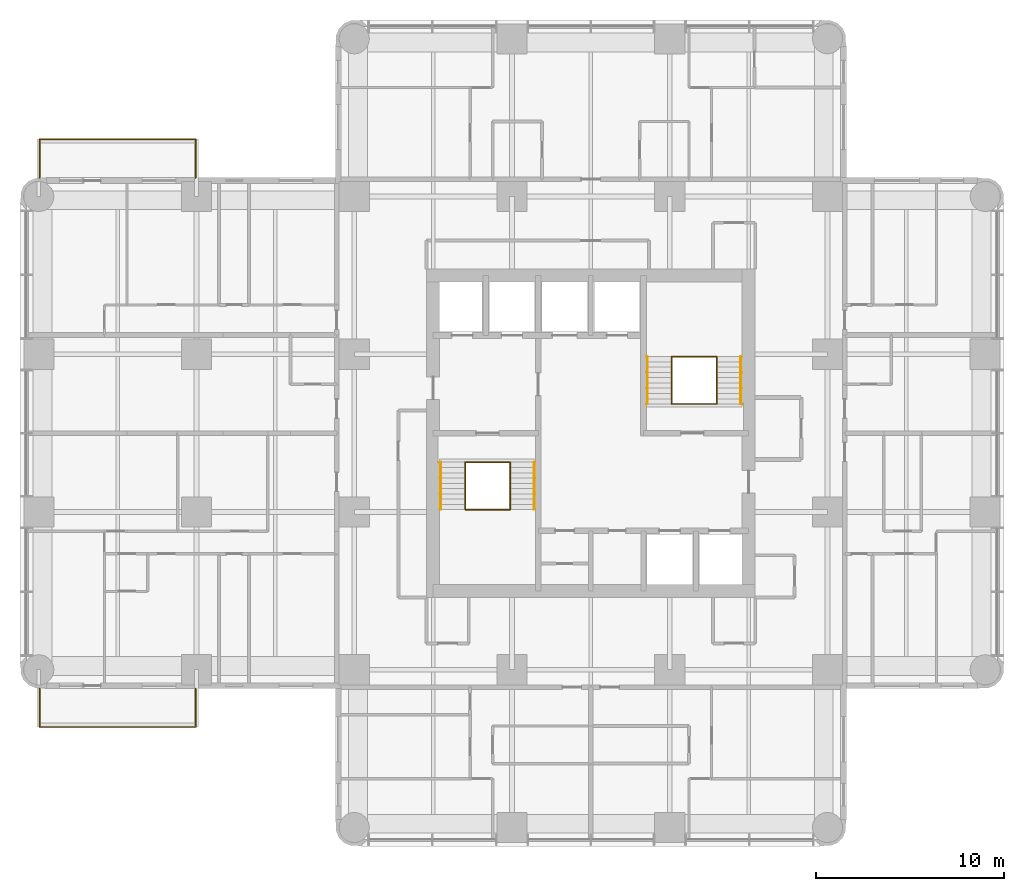
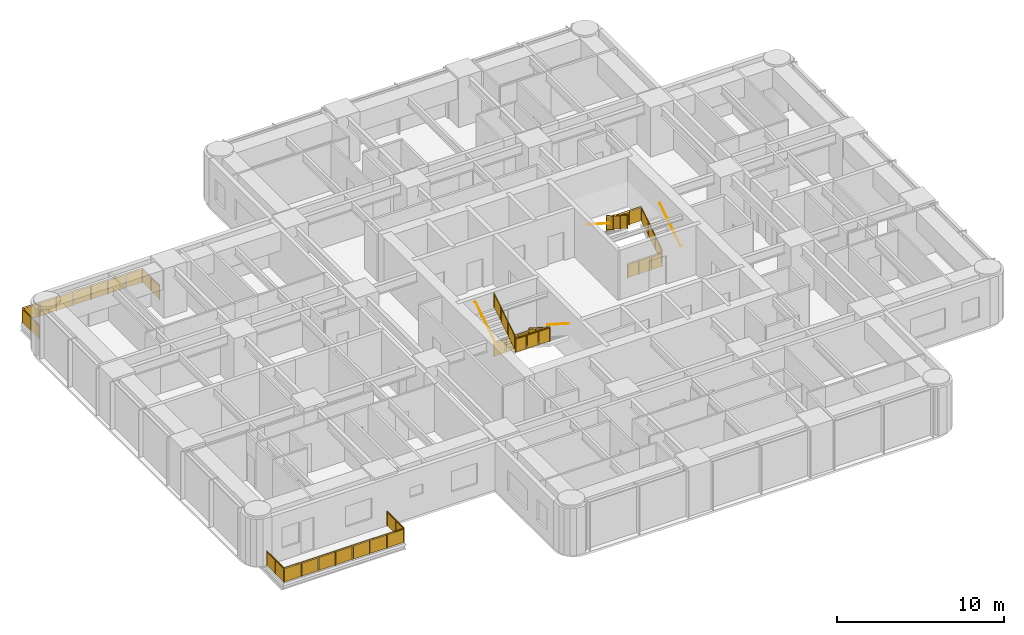
# One storey, part 11 of 11: 14 railings.
"""IFC4 building model written with IfcOpenShell, lengths in metres."""

from ifc_helpers import new_model, si_unit, direction, frame, origin, origin_2d, place, context, subcontext, project, spatial, polyline, circle, outline, extrude, material, constituent, constituent_set, type_object, element, save


model = new_model("IFC4")

# Units and contexts
model_context = context("Model", 3, precision=1e-05, world=origin(), true_north=direction((0.0, 1.0)))
body_context = subcontext(model_context, "Body", "Model", "MODEL_VIEW")
ifc_project = project(units=[si_unit("LENGTHUNIT", "METRE"), si_unit("AREAUNIT", "SQUARE_METRE"), si_unit("VOLUMEUNIT", "CUBIC_METRE"), si_unit("PLANEANGLEUNIT", "RADIAN"), si_unit("MASSUNIT", "GRAM", prefix="KILO")], contexts=[model_context])

# Site, building, storey
site_placement = place(None, origin())
site = spatial("IfcSite", under=ifc_project, at=site_placement, CompositionType="ELEMENT")
building_placement = place(site_placement, origin())
building = spatial("IfcBuilding", under=site, at=building_placement, Name="Torre Alcanfor", CompositionType="ELEMENT")
storey_placement = place(building_placement, frame((0.0, 0.0, 240.89990234375)))
storey = spatial("IfcBuildingStorey", under=building, at=storey_placement, Name="L63", CompositionType="ELEMENT", Elevation=240.89990234375)

# Railings
ifc_material_1 = material(Name="Laminated safety glass", Category="glass")
ifc_constituent_1 = constituent(ifc_material_1, Name="Infill")
ifc_material_2 = material(Name="Stainless steel ASTM A554 Grade MT 316L tube", Category="steel")
ifc_constituent_2 = constituent(ifc_material_2, Name="Posts and rail")
ifc_constituent_set = constituent_set(constituents=[ifc_constituent_1, ifc_constituent_2], Name="Balcony guard glass 1100")
railing_type_1 = type_object("IfcRailingType", Name="Balcony guard glass 1100", PredefinedType="BALUSTRADE", material=ifc_constituent_set)
railing_1_placement = place(storey_placement, frame((8.35009765625, 15.800048828125, 0.0)))
element("IfcRailing", 1, at=railing_1_placement, inside=storey, type_object=railing_type_1, Name="Balcony guard L63-W1", PredefinedType="BALUSTRADE", context=body_context, shape_type="SweptSolid", body=[
    extrude(circle(Radius=0.02392578125, at=origin_2d()), frame((0.0, 0.0, 1.076171875), z_axis=(0.0, -1.0, 0.0), x_axis=(1.0, 0.0, 0.0)), (0.0, 0.0, 1.0), 2.050048828125),
    extrude(circle(Radius=0.02392578125, at=origin_2d()), frame((0.0, -2.050048828125, 1.076171875), z_axis=(-1.0, 0.0, 0.0), x_axis=(0.0, -1.0, 0.0)), (0.0, 0.0, 1.0), 8.300048828125),
    extrude(circle(Radius=0.02392578125, at=origin_2d()), frame((-8.300048828125, -2.050048828125, 1.076171875), z_axis=(0.0, 1.0, 0.0), x_axis=(-1.0, 0.0, 0.0)), (0.0, 0.0, 1.0), 2.050048828125),
    extrude(circle(Radius=0.02099609375, at=origin_2d()), origin(), (0.0, 0.0, 1.0), 1.052001953125),
    extrude(circle(Radius=0.02099609375, at=origin_2d()), frame((0.0, -1.02490234375, 0.0)), (0.0, 0.0, 1.0), 1.052001953125),
    extrude(circle(Radius=0.02099609375, at=origin_2d()), frame((0.0, -2.050048828125, 0.0)), (0.0, 0.0, 1.0), 1.052001953125),
    extrude(circle(Radius=0.02099609375, at=origin_2d()), frame((-1.185791015625, -2.050048828125, 0.0)), (0.0, 0.0, 1.0), 1.052001953125),
    extrude(circle(Radius=0.02099609375, at=origin_2d()), frame((-2.371337890625, -2.050048828125, 0.0)), (0.0, 0.0, 1.0), 1.052001953125),
    extrude(circle(Radius=0.02099609375, at=origin_2d()), frame((-3.55712890625, -2.050048828125, 0.0)), (0.0, 0.0, 1.0), 1.052001953125),
    extrude(circle(Radius=0.02099609375, at=origin_2d()), frame((-4.742919921875, -2.050048828125, 0.0)), (0.0, 0.0, 1.0), 1.052001953125),
    extrude(circle(Radius=0.02099609375, at=origin_2d()), frame((-5.9287109375, -2.050048828125, 0.0)), (0.0, 0.0, 1.0), 1.052001953125),
    extrude(circle(Radius=0.02099609375, at=origin_2d()), frame((-7.1142578125, -2.050048828125, 0.0)), (0.0, 0.0, 1.0), 1.052001953125),
    extrude(circle(Radius=0.02099609375, at=origin_2d()), frame((-8.300048828125, -2.050048828125, 0.0)), (0.0, 0.0, 1.0), 1.052001953125),
    extrude(circle(Radius=0.02099609375, at=origin_2d()), frame((-8.300048828125, -1.02490234375, 0.0)), (0.0, 0.0, 1.0), 1.052001953125),
    extrude(circle(Radius=0.02099609375, at=origin_2d()), frame((-8.300048828125, 0.0, 0.0)), (0.0, 0.0, 1.0), 1.052001953125),
    extrude(outline(polyline([(0.041015625, 0.050048828125), (0.984130859375, 0.050048828125), (0.984130859375, 1.001953125), (0.041015625, 1.001953125), (0.041015625, 0.050048828125)])), frame((0.005859375, 0.0, 0.0), z_axis=(-1.0, 0.0, 0.0), x_axis=(0.0, -1.0, 0.0)), (0.0, 0.0, 1.0), 0.011962890625),
    extrude(outline(polyline([(1.06591796875, 0.050048828125), (2.009033203125, 0.050048828125), (2.009033203125, 1.001953125), (1.06591796875, 1.001953125), (1.06591796875, 0.050048828125)])), frame((0.005859375, 0.0, 0.0), z_axis=(-1.0, 0.0, 0.0), x_axis=(0.0, -1.0, 0.0)), (0.0, 0.0, 1.0), 0.011962890625),
    extrude(outline(polyline([(0.041015625, 0.050048828125), (1.144775390625, 0.050048828125), (1.144775390625, 1.001953125), (0.041015625, 1.001953125), (0.041015625, 0.050048828125)])), frame((0.0, -2.05615234375, 0.0), z_axis=(0.0, 1.0, 0.0), x_axis=(-1.0, 0.0, 0.0)), (0.0, 0.0, 1.0), 0.011962890625),
    extrude(outline(polyline([(1.226806640625, 0.050048828125), (2.330322265625, 0.050048828125), (2.330322265625, 1.001953125), (1.226806640625, 1.001953125), (1.226806640625, 0.050048828125)])), frame((0.0, -2.05615234375, 0.0), z_axis=(0.0, 1.0, 0.0), x_axis=(-1.0, 0.0, 0.0)), (0.0, 0.0, 1.0), 0.011962890625),
    extrude(outline(polyline([(2.412353515625, 0.050048828125), (3.51611328125, 0.050048828125), (3.51611328125, 1.001953125), (2.412353515625, 1.001953125), (2.412353515625, 0.050048828125)])), frame((0.0, -2.05615234375, 0.0), z_axis=(0.0, 1.0, 0.0), x_axis=(-1.0, 0.0, 0.0)), (0.0, 0.0, 1.0), 0.011962890625),
    extrude(outline(polyline([(3.59814453125, 0.050048828125), (4.701904296875, 0.050048828125), (4.701904296875, 1.001953125), (3.59814453125, 1.001953125), (3.59814453125, 0.050048828125)])), frame((0.0, -2.05615234375, 0.0), z_axis=(0.0, 1.0, 0.0), x_axis=(-1.0, 0.0, 0.0)), (0.0, 0.0, 1.0), 0.011962890625),
    extrude(outline(polyline([(4.783935546875, 0.050048828125), (5.8876953125, 0.050048828125), (5.8876953125, 1.001953125), (4.783935546875, 1.001953125), (4.783935546875, 0.050048828125)])), frame((0.0, -2.05615234375, 0.0), z_axis=(0.0, 1.0, 0.0), x_axis=(-1.0, 0.0, 0.0)), (0.0, 0.0, 1.0), 0.011962890625),
    extrude(outline(polyline([(5.9697265625, 0.050048828125), (7.0732421875, 0.050048828125), (7.0732421875, 1.001953125), (5.9697265625, 1.001953125), (5.9697265625, 0.050048828125)])), frame((0.0, -2.05615234375, 0.0), z_axis=(0.0, 1.0, 0.0), x_axis=(-1.0, 0.0, 0.0)), (0.0, 0.0, 1.0), 0.011962890625),
    extrude(outline(polyline([(7.1552734375, 0.050048828125), (8.259033203125, 0.050048828125), (8.259033203125, 1.001953125), (7.1552734375, 1.001953125), (7.1552734375, 0.050048828125)])), frame((0.0, -2.05615234375, 0.0), z_axis=(0.0, 1.0, 0.0), x_axis=(-1.0, 0.0, 0.0)), (0.0, 0.0, 1.0), 0.011962890625),
    extrude(outline(polyline([(0.041015625, 0.050048828125), (0.984130859375, 0.050048828125), (0.984130859375, 1.001953125), (0.041015625, 1.001953125), (0.041015625, 0.050048828125)])), frame((-8.30615234375, -2.050048828125, 0.0), z_axis=(1.0, 0.0, 0.0), x_axis=(0.0, 1.0, 0.0)), (0.0, 0.0, 1.0), 0.011962890625),
    extrude(outline(polyline([(1.06591796875, 0.050048828125), (2.009033203125, 0.050048828125), (2.009033203125, 1.001953125), (1.06591796875, 1.001953125), (1.06591796875, 0.050048828125)])), frame((-8.30615234375, -2.050048828125, 0.0), z_axis=(1.0, 0.0, 0.0), x_axis=(0.0, 1.0, 0.0)), (0.0, 0.0, 1.0), 0.011962890625),
])
railing_2_placement = place(storey_placement, frame((8.35009765625, 43.0, 0.0)))
element("IfcRailing", 2, at=railing_2_placement, inside=storey, type_object=railing_type_1, Name="Balcony guard L63-W2", PredefinedType="BALUSTRADE", context=body_context, shape_type="SweptSolid", body=[
    extrude(circle(Radius=0.02392578125, at=origin_2d()), frame((0.0, 0.0, 1.076171875), z_axis=(0.0, 1.0, 0.0), x_axis=(-1.0, 0.0, 0.0)), (0.0, 0.0, 1.0), 2.050048828125),
    extrude(circle(Radius=0.02392578125, at=origin_2d()), frame((0.0, 2.050048828125, 1.076171875), z_axis=(-1.0, 0.0, 0.0), x_axis=(0.0, -1.0, 0.0)), (0.0, 0.0, 1.0), 8.300048828125),
    extrude(circle(Radius=0.02392578125, at=origin_2d()), frame((-8.300048828125, 2.050048828125, 1.076171875), z_axis=(0.0, -1.0, 0.0), x_axis=(1.0, 0.0, 0.0)), (0.0, 0.0, 1.0), 2.050048828125),
    extrude(circle(Radius=0.02099609375, at=origin_2d()), origin(), (0.0, 0.0, 1.0), 1.052001953125),
    extrude(circle(Radius=0.02099609375, at=origin_2d()), frame((0.0, 1.02490234375, 0.0)), (0.0, 0.0, 1.0), 1.052001953125),
    extrude(circle(Radius=0.02099609375, at=origin_2d()), frame((0.0, 2.050048828125, 0.0)), (0.0, 0.0, 1.0), 1.052001953125),
    extrude(circle(Radius=0.02099609375, at=origin_2d()), frame((-1.185791015625, 2.050048828125, 0.0)), (0.0, 0.0, 1.0), 1.052001953125),
    extrude(circle(Radius=0.02099609375, at=origin_2d()), frame((-2.371337890625, 2.050048828125, 0.0)), (0.0, 0.0, 1.0), 1.052001953125),
    extrude(circle(Radius=0.02099609375, at=origin_2d()), frame((-3.55712890625, 2.050048828125, 0.0)), (0.0, 0.0, 1.0), 1.052001953125),
    extrude(circle(Radius=0.02099609375, at=origin_2d()), frame((-4.742919921875, 2.050048828125, 0.0)), (0.0, 0.0, 1.0), 1.052001953125),
    extrude(circle(Radius=0.02099609375, at=origin_2d()), frame((-5.9287109375, 2.050048828125, 0.0)), (0.0, 0.0, 1.0), 1.052001953125),
    extrude(circle(Radius=0.02099609375, at=origin_2d()), frame((-7.1142578125, 2.050048828125, 0.0)), (0.0, 0.0, 1.0), 1.052001953125),
    extrude(circle(Radius=0.02099609375, at=origin_2d()), frame((-8.300048828125, 2.050048828125, 0.0)), (0.0, 0.0, 1.0), 1.052001953125),
    extrude(circle(Radius=0.02099609375, at=origin_2d()), frame((-8.300048828125, 1.02490234375, 0.0)), (0.0, 0.0, 1.0), 1.052001953125),
    extrude(circle(Radius=0.02099609375, at=origin_2d()), frame((-8.300048828125, 0.0, 0.0)), (0.0, 0.0, 1.0), 1.052001953125),
    extrude(outline(polyline([(0.041015625, 0.050048828125), (0.984130859375, 0.050048828125), (0.984130859375, 1.001953125), (0.041015625, 1.001953125), (0.041015625, 0.050048828125)])), frame((-0.005859375, 0.0, 0.0), z_axis=(1.0, 0.0, 0.0), x_axis=(0.0, 1.0, 0.0)), (0.0, 0.0, 1.0), 0.011962890625),
    extrude(outline(polyline([(1.06591796875, 0.050048828125), (2.009033203125, 0.050048828125), (2.009033203125, 1.001953125), (1.06591796875, 1.001953125), (1.06591796875, 0.050048828125)])), frame((-0.005859375, 0.0, 0.0), z_axis=(1.0, 0.0, 0.0), x_axis=(0.0, 1.0, 0.0)), (0.0, 0.0, 1.0), 0.011962890625),
    extrude(outline(polyline([(0.041015625, 0.050048828125), (1.144775390625, 0.050048828125), (1.144775390625, 1.001953125), (0.041015625, 1.001953125), (0.041015625, 0.050048828125)])), frame((0.0, 2.0439453125, 0.0), z_axis=(0.0, 1.0, 0.0), x_axis=(-1.0, 0.0, 0.0)), (0.0, 0.0, 1.0), 0.011962890625),
    extrude(outline(polyline([(1.226806640625, 0.050048828125), (2.330322265625, 0.050048828125), (2.330322265625, 1.001953125), (1.226806640625, 1.001953125), (1.226806640625, 0.050048828125)])), frame((0.0, 2.0439453125, 0.0), z_axis=(0.0, 1.0, 0.0), x_axis=(-1.0, 0.0, 0.0)), (0.0, 0.0, 1.0), 0.011962890625),
    extrude(outline(polyline([(2.412353515625, 0.050048828125), (3.51611328125, 0.050048828125), (3.51611328125, 1.001953125), (2.412353515625, 1.001953125), (2.412353515625, 0.050048828125)])), frame((0.0, 2.0439453125, 0.0), z_axis=(0.0, 1.0, 0.0), x_axis=(-1.0, 0.0, 0.0)), (0.0, 0.0, 1.0), 0.011962890625),
    extrude(outline(polyline([(3.59814453125, 0.050048828125), (4.701904296875, 0.050048828125), (4.701904296875, 1.001953125), (3.59814453125, 1.001953125), (3.59814453125, 0.050048828125)])), frame((0.0, 2.0439453125, 0.0), z_axis=(0.0, 1.0, 0.0), x_axis=(-1.0, 0.0, 0.0)), (0.0, 0.0, 1.0), 0.011962890625),
    extrude(outline(polyline([(4.783935546875, 0.050048828125), (5.8876953125, 0.050048828125), (5.8876953125, 1.001953125), (4.783935546875, 1.001953125), (4.783935546875, 0.050048828125)])), frame((0.0, 2.0439453125, 0.0), z_axis=(0.0, 1.0, 0.0), x_axis=(-1.0, 0.0, 0.0)), (0.0, 0.0, 1.0), 0.011962890625),
    extrude(outline(polyline([(5.9697265625, 0.050048828125), (7.0732421875, 0.050048828125), (7.0732421875, 1.001953125), (5.9697265625, 1.001953125), (5.9697265625, 0.050048828125)])), frame((0.0, 2.0439453125, 0.0), z_axis=(0.0, 1.0, 0.0), x_axis=(-1.0, 0.0, 0.0)), (0.0, 0.0, 1.0), 0.011962890625),
    extrude(outline(polyline([(7.1552734375, 0.050048828125), (8.259033203125, 0.050048828125), (8.259033203125, 1.001953125), (7.1552734375, 1.001953125), (7.1552734375, 0.050048828125)])), frame((0.0, 2.0439453125, 0.0), z_axis=(0.0, 1.0, 0.0), x_axis=(-1.0, 0.0, 0.0)), (0.0, 0.0, 1.0), 0.011962890625),
    extrude(outline(polyline([(0.041015625, 0.050048828125), (0.984130859375, 0.050048828125), (0.984130859375, 1.001953125), (0.041015625, 1.001953125), (0.041015625, 0.050048828125)])), frame((-8.2939453125, 2.050048828125, 0.0), z_axis=(-1.0, 0.0, 0.0), x_axis=(0.0, -1.0, 0.0)), (0.0, 0.0, 1.0), 0.011962890625),
    extrude(outline(polyline([(1.06591796875, 0.050048828125), (2.009033203125, 0.050048828125), (2.009033203125, 1.001953125), (1.06591796875, 1.001953125), (1.06591796875, 0.050048828125)])), frame((-8.2939453125, 2.050048828125, 0.0), z_axis=(-1.0, 0.0, 0.0), x_axis=(0.0, -1.0, 0.0)), (0.0, 0.0, 1.0), 0.011962890625),
])
ifc_material_3 = material(Name="Steel ASTM A500 Grade C hollow sections", Category="steel")
railing_type_2 = type_object("IfcRailingType", Name="Stair guard and handrail 1100", PredefinedType="GUARDRAIL", material=ifc_material_3)
railing_3_placement = place(storey_placement, frame((25.10009765625, 27.85009765625, 0.18017578125)))
element("IfcRailing", 3, at=railing_3_placement, inside=storey, type_object=railing_type_2, Name="Stair guard S1 L63 flight 1", PredefinedType="GUARDRAIL", context=body_context, shape_type="SweptSolid", body=[
    extrude(circle(Radius=0.02392578125, at=origin_2d()), frame((0.0, 0.0, 1.076171875), z_axis=(0.0, -0.841199657755, 0.540724639528), x_axis=(1.0, 0.0, 0.0)), (0.0, 0.0, 1.0), 2.995849609375),
    extrude(circle(Radius=0.02099609375, at=origin_2d()), origin(), (0.0, 0.0, 1.0), 1.052001953125),
    extrude(circle(Radius=0.02099609375, at=origin_2d()), frame((0.0, -0.840087890625, 0.5400390625)), (0.0, 0.0, 1.0), 1.052001953125),
    extrude(circle(Radius=0.02099609375, at=origin_2d()), frame((0.0, -1.679931640625, 1.079833984375)), (0.0, 0.0, 1.0), 1.052001953125),
    extrude(circle(Radius=0.02099609375, at=origin_2d()), frame((0.0, -2.52001953125, 1.619873046875)), (0.0, 0.0, 1.0), 1.052001953125),
    extrude(outline(polyline([(0.041015625, 0.076416015625), (0.799072265625, 0.563720703125), (0.799072265625, 1.515625), (0.041015625, 1.0283203125), (0.041015625, 0.076416015625)])), frame((0.005859375, 0.0, 0.0), z_axis=(-1.0, 0.0, 0.0), x_axis=(0.0, -1.0, 0.0)), (0.0, 0.0, 1.0), 0.011962890625),
    extrude(outline(polyline([(0.881103515625, 0.6162109375), (1.638916015625, 1.103515625), (1.638916015625, 2.0556640625), (0.881103515625, 1.568359375), (0.881103515625, 0.6162109375)])), frame((0.005859375, 0.0, 0.0), z_axis=(-1.0, 0.0, 0.0), x_axis=(0.0, -1.0, 0.0)), (0.0, 0.0, 1.0), 0.011962890625),
    extrude(outline(polyline([(1.720947265625, 1.15625), (2.47900390625, 1.6435546875), (2.47900390625, 2.595458984375), (1.720947265625, 2.108154296875), (1.720947265625, 1.15625)])), frame((0.005859375, 0.0, 0.0), z_axis=(-1.0, 0.0, 0.0), x_axis=(0.0, -1.0, 0.0)), (0.0, 0.0, 1.0), 0.011962890625),
])
railing_4_placement = place(storey_placement, frame((22.699951171875, 25.330078125, 1.97998046875)))
element("IfcRailing", 4, at=railing_4_placement, inside=storey, type_object=railing_type_2, Name="Stair guard S1 L63 flight 2", PredefinedType="GUARDRAIL", context=body_context, shape_type="SweptSolid", body=[
    extrude(circle(Radius=0.02392578125, at=origin_2d()), frame((0.0, 0.0, 1.076171875), z_axis=(0.0, 0.841162588446, 0.540782303519), x_axis=(-1.0, 0.0, 0.0)), (0.0, 0.0, 1.0), 2.995849609375),
    extrude(circle(Radius=0.02099609375, at=origin_2d()), origin(), (0.0, 0.0, 1.0), 1.052001953125),
    extrude(circle(Radius=0.02099609375, at=origin_2d()), frame((0.0, 0.840087890625, 0.5400390625)), (0.0, 0.0, 1.0), 1.052001953125),
    extrude(circle(Radius=0.02099609375, at=origin_2d()), frame((0.0, 1.679931640625, 1.080078125)), (0.0, 0.0, 1.0), 1.052001953125),
    extrude(circle(Radius=0.02099609375, at=origin_2d()), frame((0.0, 2.52001953125, 1.6201171875)), (0.0, 0.0, 1.0), 1.052001953125),
    extrude(outline(polyline([(0.041015625, 0.076416015625), (0.799072265625, 0.563720703125), (0.799072265625, 1.515625), (0.041015625, 1.0283203125), (0.041015625, 0.076416015625)])), frame((-0.005859375, 0.0, 0.0), z_axis=(1.0, 0.0, 0.0), x_axis=(0.0, 1.0, 0.0)), (0.0, 0.0, 1.0), 0.011962890625),
    extrude(outline(polyline([(0.881103515625, 0.616455078125), (1.638916015625, 1.103759765625), (1.638916015625, 2.0556640625), (0.881103515625, 1.568359375), (0.881103515625, 0.616455078125)])), frame((-0.005859375, 0.0, 0.0), z_axis=(1.0, 0.0, 0.0), x_axis=(0.0, 1.0, 0.0)), (0.0, 0.0, 1.0), 0.011962890625),
    extrude(outline(polyline([(1.720947265625, 1.156494140625), (2.47900390625, 1.643798828125), (2.47900390625, 2.595703125), (1.720947265625, 2.1083984375), (1.720947265625, 1.156494140625)])), frame((-0.005859375, 0.0, 0.0), z_axis=(1.0, 0.0, 0.0), x_axis=(0.0, 1.0, 0.0)), (0.0, 0.0, 1.0), 0.011962890625),
])
for number, where, name in (
    (5, (22.699951171875, 27.85009765625, 0.0), "Stair well guard S1 L63 floor landing"),
    (6, (22.699951171875, 25.330078125, 1.800048828125), "Stair well guard S1 L63 half landing"),
):
    element("IfcRailing", number, at=place(storey_placement, frame(where)), inside=storey, type_object=railing_type_2, Name=name, PredefinedType="GUARDRAIL", context=body_context, shape_type="SweptSolid", body=[
        extrude(circle(Radius=0.02392578125, at=origin_2d()), frame((0.0, 0.0, 1.076171875), z_axis=(1.0, 0.0, 0.0), x_axis=(0.0, 1.0, 0.0)), (0.0, 0.0, 1.0), 2.400146484375),
        extrude(circle(Radius=0.02099609375, at=origin_2d()), origin(), (0.0, 0.0, 1.0), 1.052001953125),
        extrude(circle(Radius=0.02099609375, at=origin_2d()), frame((0.800048828125, 0.0, 0.0)), (0.0, 0.0, 1.0), 1.052001953125),
        extrude(circle(Radius=0.02099609375, at=origin_2d()), frame((1.60009765625, 0.0, 0.0)), (0.0, 0.0, 1.0), 1.052001953125),
        extrude(circle(Radius=0.02099609375, at=origin_2d()), frame((2.400146484375, 0.0, 0.0)), (0.0, 0.0, 1.0), 1.052001953125),
        extrude(outline(polyline([(0.041015625, 0.050048828125), (0.759033203125, 0.050048828125), (0.759033203125, 1.001953125), (0.041015625, 1.001953125), (0.041015625, 0.050048828125)])), frame((0.0, 0.005859375, 0.0), z_axis=(0.0, -1.0, 0.0), x_axis=(1.0, 0.0, 0.0)), (0.0, 0.0, 1.0), 0.011962890625),
        extrude(outline(polyline([(0.841064453125, 0.050048828125), (1.55908203125, 0.050048828125), (1.55908203125, 1.001953125), (0.841064453125, 1.001953125), (0.841064453125, 0.050048828125)])), frame((0.0, 0.005859375, 0.0), z_axis=(0.0, -1.0, 0.0), x_axis=(1.0, 0.0, 0.0)), (0.0, 0.0, 1.0), 0.011962890625),
        extrude(outline(polyline([(1.64111328125, 0.050048828125), (2.359130859375, 0.050048828125), (2.359130859375, 1.001953125), (1.64111328125, 1.001953125), (1.64111328125, 0.050048828125)])), frame((0.0, 0.005859375, 0.0), z_axis=(0.0, -1.0, 0.0), x_axis=(1.0, 0.0, 0.0)), (0.0, 0.0, 1.0), 0.011962890625),
    ])
railing_5_placement = place(storey_placement, frame((36.10009765625, 30.949951171875, 0.18017578125)))
element("IfcRailing", 7, at=railing_5_placement, inside=storey, type_object=railing_type_2, Name="Stair guard S2 L63 flight 1", PredefinedType="GUARDRAIL", context=body_context, shape_type="SweptSolid", body=[
    extrude(circle(Radius=0.02392578125, at=origin_2d()), frame((0.0, 0.0, 1.076171875), z_axis=(0.0, 0.841199657755, 0.540724639528), x_axis=(-1.0, 0.0, 0.0)), (0.0, 0.0, 1.0), 2.995849609375),
    extrude(circle(Radius=0.02099609375, at=origin_2d()), origin(), (0.0, 0.0, 1.0), 1.052001953125),
    extrude(circle(Radius=0.02099609375, at=origin_2d()), frame((0.0, 0.840087890625, 0.5400390625)), (0.0, 0.0, 1.0), 1.052001953125),
    extrude(circle(Radius=0.02099609375, at=origin_2d()), frame((0.0, 1.679931640625, 1.079833984375)), (0.0, 0.0, 1.0), 1.052001953125),
    extrude(circle(Radius=0.02099609375, at=origin_2d()), frame((0.0, 2.52001953125, 1.619873046875)), (0.0, 0.0, 1.0), 1.052001953125),
    extrude(outline(polyline([(0.041015625, 0.076416015625), (0.799072265625, 0.563720703125), (0.799072265625, 1.515625), (0.041015625, 1.0283203125), (0.041015625, 0.076416015625)])), frame((-0.005859375, 0.0, 0.0), z_axis=(1.0, 0.0, 0.0), x_axis=(0.0, 1.0, 0.0)), (0.0, 0.0, 1.0), 0.011962890625),
    extrude(outline(polyline([(0.881103515625, 0.6162109375), (1.638916015625, 1.103515625), (1.638916015625, 2.0556640625), (0.881103515625, 1.568359375), (0.881103515625, 0.6162109375)])), frame((-0.005859375, 0.0, 0.0), z_axis=(1.0, 0.0, 0.0), x_axis=(0.0, 1.0, 0.0)), (0.0, 0.0, 1.0), 0.011962890625),
    extrude(outline(polyline([(1.720947265625, 1.15625), (2.47900390625, 1.6435546875), (2.47900390625, 2.595458984375), (1.720947265625, 2.108154296875), (1.720947265625, 1.15625)])), frame((-0.005859375, 0.0, 0.0), z_axis=(1.0, 0.0, 0.0), x_axis=(0.0, 1.0, 0.0)), (0.0, 0.0, 1.0), 0.011962890625),
])
railing_6_placement = place(storey_placement, frame((33.699951171875, 33.469970703125, 1.97998046875)))
element("IfcRailing", 8, at=railing_6_placement, inside=storey, type_object=railing_type_2, Name="Stair guard S2 L63 flight 2", PredefinedType="GUARDRAIL", context=body_context, shape_type="SweptSolid", body=[
    extrude(circle(Radius=0.02392578125, at=origin_2d()), frame((0.0, 0.0, 1.076171875), z_axis=(0.0, -0.841162588446, 0.540782303519), x_axis=(1.0, 0.0, 0.0)), (0.0, 0.0, 1.0), 2.995849609375),
    extrude(circle(Radius=0.02099609375, at=origin_2d()), origin(), (0.0, 0.0, 1.0), 1.052001953125),
    extrude(circle(Radius=0.02099609375, at=origin_2d()), frame((0.0, -0.840087890625, 0.5400390625)), (0.0, 0.0, 1.0), 1.052001953125),
    extrude(circle(Radius=0.02099609375, at=origin_2d()), frame((0.0, -1.679931640625, 1.080078125)), (0.0, 0.0, 1.0), 1.052001953125),
    extrude(circle(Radius=0.02099609375, at=origin_2d()), frame((0.0, -2.52001953125, 1.6201171875)), (0.0, 0.0, 1.0), 1.052001953125),
    extrude(outline(polyline([(0.041015625, 0.076416015625), (0.799072265625, 0.563720703125), (0.799072265625, 1.515625), (0.041015625, 1.0283203125), (0.041015625, 0.076416015625)])), frame((0.005859375, 0.0, 0.0), z_axis=(-1.0, 0.0, 0.0), x_axis=(0.0, -1.0, 0.0)), (0.0, 0.0, 1.0), 0.011962890625),
    extrude(outline(polyline([(0.881103515625, 0.616455078125), (1.638916015625, 1.103759765625), (1.638916015625, 2.0556640625), (0.881103515625, 1.568359375), (0.881103515625, 0.616455078125)])), frame((0.005859375, 0.0, 0.0), z_axis=(-1.0, 0.0, 0.0), x_axis=(0.0, -1.0, 0.0)), (0.0, 0.0, 1.0), 0.011962890625),
    extrude(outline(polyline([(1.720947265625, 1.156494140625), (2.47900390625, 1.643798828125), (2.47900390625, 2.595703125), (1.720947265625, 2.1083984375), (1.720947265625, 1.156494140625)])), frame((0.005859375, 0.0, 0.0), z_axis=(-1.0, 0.0, 0.0), x_axis=(0.0, -1.0, 0.0)), (0.0, 0.0, 1.0), 0.011962890625),
])
for number, where, name in (
    (9, (33.699951171875, 30.949951171875, 0.0), "Stair well guard S2 L63 floor landing"),
    (10, (33.699951171875, 33.469970703125, 1.800048828125), "Stair well guard S2 L63 half landing"),
):
    element("IfcRailing", number, at=place(storey_placement, frame(where)), inside=storey, type_object=railing_type_2, Name=name, PredefinedType="GUARDRAIL", context=body_context, shape_type="SweptSolid", body=[
        extrude(circle(Radius=0.02392578125, at=origin_2d()), frame((0.0, 0.0, 1.076171875), z_axis=(1.0, 0.0, 0.0), x_axis=(0.0, 1.0, 0.0)), (0.0, 0.0, 1.0), 2.400146484375),
        extrude(circle(Radius=0.02099609375, at=origin_2d()), origin(), (0.0, 0.0, 1.0), 1.052001953125),
        extrude(circle(Radius=0.02099609375, at=origin_2d()), frame((0.800048828125, 0.0, 0.0)), (0.0, 0.0, 1.0), 1.052001953125),
        extrude(circle(Radius=0.02099609375, at=origin_2d()), frame((1.60009765625, 0.0, 0.0)), (0.0, 0.0, 1.0), 1.052001953125),
        extrude(circle(Radius=0.02099609375, at=origin_2d()), frame((2.400146484375, 0.0, 0.0)), (0.0, 0.0, 1.0), 1.052001953125),
        extrude(outline(polyline([(0.041015625, 0.050048828125), (0.759033203125, 0.050048828125), (0.759033203125, 1.001953125), (0.041015625, 1.001953125), (0.041015625, 0.050048828125)])), frame((0.0, 0.005859375, 0.0), z_axis=(0.0, -1.0, 0.0), x_axis=(1.0, 0.0, 0.0)), (0.0, 0.0, 1.0), 0.011962890625),
        extrude(outline(polyline([(0.841064453125, 0.050048828125), (1.55908203125, 0.050048828125), (1.55908203125, 1.001953125), (0.841064453125, 1.001953125), (0.841064453125, 0.050048828125)])), frame((0.0, 0.005859375, 0.0), z_axis=(0.0, -1.0, 0.0), x_axis=(1.0, 0.0, 0.0)), (0.0, 0.0, 1.0), 0.011962890625),
        extrude(outline(polyline([(1.64111328125, 0.050048828125), (2.359130859375, 0.050048828125), (2.359130859375, 1.001953125), (1.64111328125, 1.001953125), (1.64111328125, 0.050048828125)])), frame((0.0, 0.005859375, 0.0), z_axis=(0.0, -1.0, 0.0), x_axis=(1.0, 0.0, 0.0)), (0.0, 0.0, 1.0), 0.011962890625),
    ])
ifc_material_4 = material(Name="Steel ASTM A500 Grade C hollow sections", Category="steel")
railing_type_3 = type_object("IfcRailingType", Name="Stair wall handrail 900", PredefinedType="HANDRAIL", material=ifc_material_4)
railing_7_placement = place(storey_placement, frame((26.385009765625, 27.85009765625, 0.18017578125)))
element("IfcRailing", 11, at=railing_7_placement, inside=storey, type_object=railing_type_3, Name="Stair handrail S1 L63 flight 1", PredefinedType="HANDRAIL", context=body_context, shape_type="SweptSolid", body=[
    extrude(circle(Radius=0.02392578125, at=origin_2d()), frame((0.0, 0.0, 0.8759765625), z_axis=(0.0, -0.841199657755, 0.540724639528), x_axis=(1.0, 0.0, 0.0)), (0.0, 0.0, 1.0), 2.995849609375),
    extrude(circle(Radius=0.008056640625, at=origin_2d()), frame((0.0, 0.0, 0.8759765625), z_axis=(1.0, 0.0, 0.0), x_axis=(0.0, 0.0, 1.0)), (0.0, 0.0, 1.0), 0.06494140625),
    extrude(circle(Radius=0.008056640625, at=origin_2d()), frame((0.0, -0.840087890625, 1.415771484375), z_axis=(1.0, 0.0, 0.0), x_axis=(0.0, 0.0, 1.0)), (0.0, 0.0, 1.0), 0.06494140625),
    extrude(circle(Radius=0.008056640625, at=origin_2d()), frame((0.0, -1.679931640625, 1.955810546875), z_axis=(1.0, 0.0, 0.0), x_axis=(0.0, 0.0, 1.0)), (0.0, 0.0, 1.0), 0.06494140625),
    extrude(circle(Radius=0.008056640625, at=origin_2d()), frame((0.0, -2.52001953125, 2.49560546875), z_axis=(1.0, 0.0, 0.0), x_axis=(0.0, 0.0, 1.0)), (0.0, 0.0, 1.0), 0.06494140625),
])
railing_8_placement = place(storey_placement, frame((21.4150390625, 25.330078125, 1.97998046875)))
element("IfcRailing", 12, at=railing_8_placement, inside=storey, type_object=railing_type_3, Name="Stair handrail S1 L63 flight 2", PredefinedType="HANDRAIL", context=body_context, shape_type="SweptSolid", body=[
    extrude(circle(Radius=0.02392578125, at=origin_2d()), frame((0.0, 0.0, 0.8759765625), z_axis=(0.0, 0.841162588446, 0.540782303519), x_axis=(-1.0, 0.0, 0.0)), (0.0, 0.0, 1.0), 2.995849609375),
    extrude(circle(Radius=0.008056640625, at=origin_2d()), frame((0.0, 0.0, 0.8759765625), z_axis=(-1.0, 0.0, 0.0), x_axis=(0.0, 0.0, 1.0)), (0.0, 0.0, 1.0), 0.06494140625),
    extrude(circle(Radius=0.008056640625, at=origin_2d()), frame((0.0, 0.840087890625, 1.416015625), z_axis=(-1.0, 0.0, 0.0), x_axis=(0.0, 0.0, 1.0)), (0.0, 0.0, 1.0), 0.06494140625),
    extrude(circle(Radius=0.008056640625, at=origin_2d()), frame((0.0, 1.679931640625, 1.9560546875), z_axis=(-1.0, 0.0, 0.0), x_axis=(0.0, 0.0, 1.0)), (0.0, 0.0, 1.0), 0.06494140625),
    extrude(circle(Radius=0.008056640625, at=origin_2d()), frame((0.0, 2.52001953125, 2.49609375), z_axis=(-1.0, 0.0, 0.0), x_axis=(0.0, 0.0, 1.0)), (0.0, 0.0, 1.0), 0.06494140625),
])
railing_9_placement = place(storey_placement, frame((37.385009765625, 30.949951171875, 0.18017578125)))
element("IfcRailing", 13, at=railing_9_placement, inside=storey, type_object=railing_type_3, Name="Stair handrail S2 L63 flight 1", PredefinedType="HANDRAIL", context=body_context, shape_type="SweptSolid", body=[
    extrude(circle(Radius=0.02392578125, at=origin_2d()), frame((0.0, 0.0, 0.8759765625), z_axis=(0.0, 0.841199657755, 0.540724639528), x_axis=(-1.0, 0.0, 0.0)), (0.0, 0.0, 1.0), 2.995849609375),
    extrude(circle(Radius=0.008056640625, at=origin_2d()), frame((0.0, 0.0, 0.8759765625), z_axis=(1.0, 0.0, 0.0), x_axis=(0.0, 0.0, 1.0)), (0.0, 0.0, 1.0), 0.06494140625),
    extrude(circle(Radius=0.008056640625, at=origin_2d()), frame((0.0, 0.840087890625, 1.415771484375), z_axis=(1.0, 0.0, 0.0), x_axis=(0.0, 0.0, 1.0)), (0.0, 0.0, 1.0), 0.06494140625),
    extrude(circle(Radius=0.008056640625, at=origin_2d()), frame((0.0, 1.679931640625, 1.955810546875), z_axis=(1.0, 0.0, 0.0), x_axis=(0.0, 0.0, 1.0)), (0.0, 0.0, 1.0), 0.06494140625),
    extrude(circle(Radius=0.008056640625, at=origin_2d()), frame((0.0, 2.52001953125, 2.49560546875), z_axis=(1.0, 0.0, 0.0), x_axis=(0.0, 0.0, 1.0)), (0.0, 0.0, 1.0), 0.06494140625),
])
railing_10_placement = place(storey_placement, frame((32.4150390625, 33.469970703125, 1.97998046875)))
element("IfcRailing", 14, at=railing_10_placement, inside=storey, type_object=railing_type_3, Name="Stair handrail S2 L63 flight 2", PredefinedType="HANDRAIL", context=body_context, shape_type="SweptSolid", body=[
    extrude(circle(Radius=0.02392578125, at=origin_2d()), frame((0.0, 0.0, 0.8759765625), z_axis=(0.0, -0.841162588446, 0.540782303519), x_axis=(1.0, 0.0, 0.0)), (0.0, 0.0, 1.0), 2.995849609375),
    extrude(circle(Radius=0.008056640625, at=origin_2d()), frame((0.0, 0.0, 0.8759765625), z_axis=(-1.0, 0.0, 0.0), x_axis=(0.0, 0.0, 1.0)), (0.0, 0.0, 1.0), 0.06494140625),
    extrude(circle(Radius=0.008056640625, at=origin_2d()), frame((0.0, -0.840087890625, 1.416015625), z_axis=(-1.0, 0.0, 0.0), x_axis=(0.0, 0.0, 1.0)), (0.0, 0.0, 1.0), 0.06494140625),
    extrude(circle(Radius=0.008056640625, at=origin_2d()), frame((0.0, -1.679931640625, 1.9560546875), z_axis=(-1.0, 0.0, 0.0), x_axis=(0.0, 0.0, 1.0)), (0.0, 0.0, 1.0), 0.06494140625),
    extrude(circle(Radius=0.008056640625, at=origin_2d()), frame((0.0, -2.52001953125, 2.49609375), z_axis=(-1.0, 0.0, 0.0), x_axis=(0.0, 0.0, 1.0)), (0.0, 0.0, 1.0), 0.06494140625),
])

save(model, "model.ifc")
